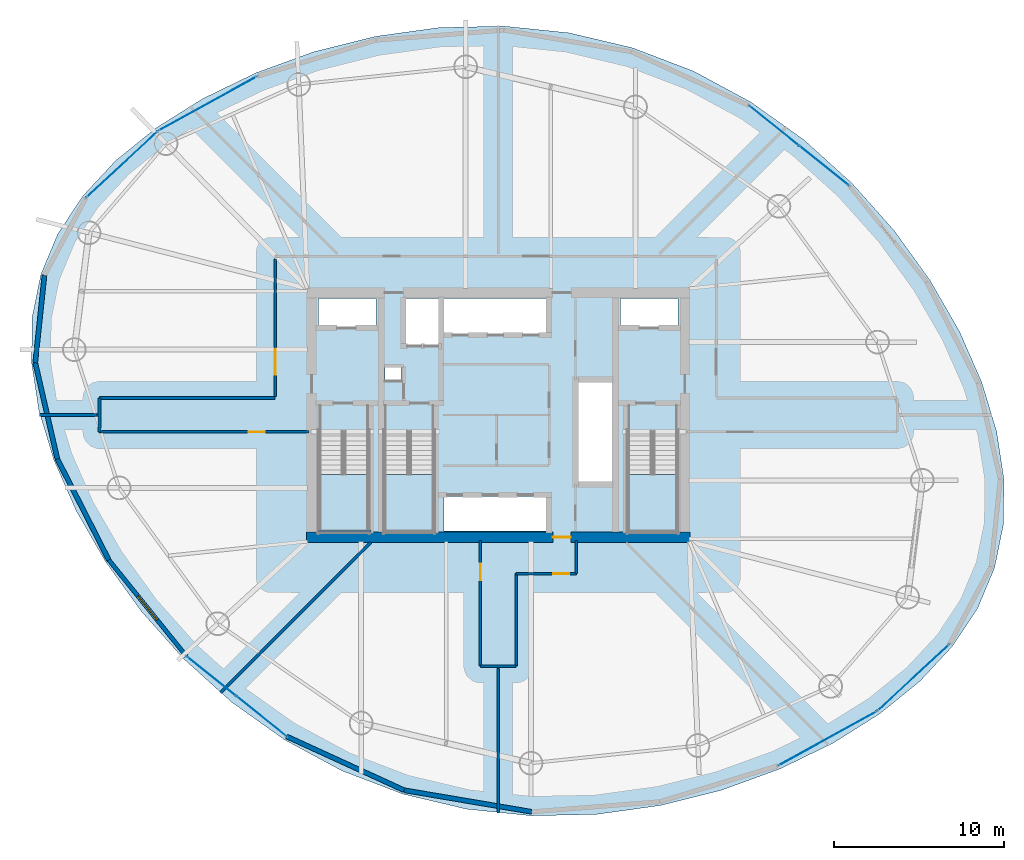
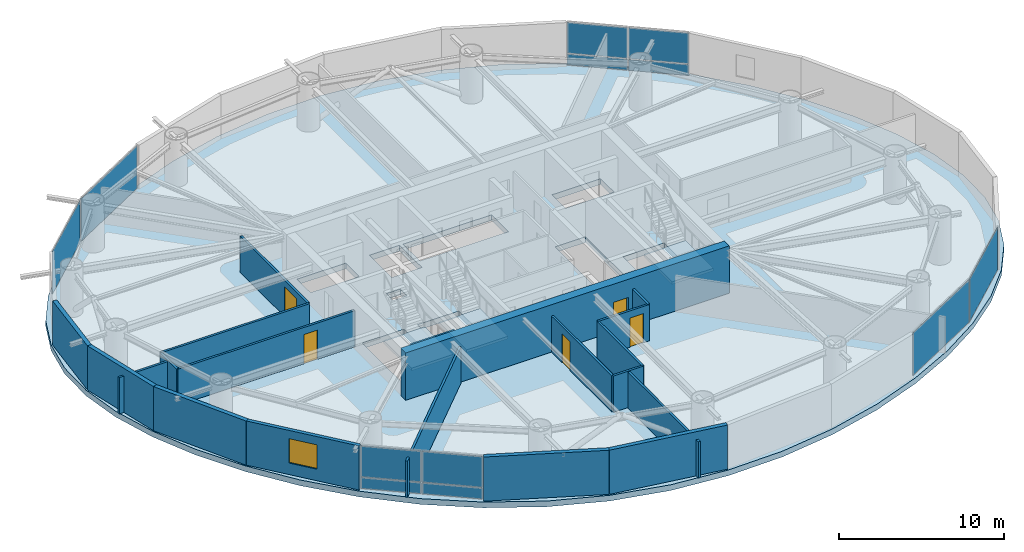
# One storey, part 13 of 21: 20 walls, 12 plates, 5 doors, 4 slabs, 1 window, 6 openings, 9 elements without a shape of their own.
"""IFC4 building model written with IfcOpenShell, lengths in metres."""

from ifc_helpers import new_model, si_unit, direction, frame, frame_2d, origin, origin_2d, place, context, subcontext, project, spatial, polyline, rectangle, outline, extrude, material, layer, layer_set, type_object, element, fill, aggregate, save


model = new_model("IFC4")

# Units and contexts
model_context = context("Model", 3, precision=1e-05, world=origin(), true_north=direction((0.0, 1.0)))
body_context = subcontext(model_context, "Body", "Model", "MODEL_VIEW")
ifc_project = project(units=[si_unit("LENGTHUNIT", "METRE"), si_unit("AREAUNIT", "SQUARE_METRE"), si_unit("VOLUMEUNIT", "CUBIC_METRE"), si_unit("PLANEANGLEUNIT", "RADIAN"), si_unit("MASSUNIT", "GRAM", prefix="KILO")], contexts=[model_context])

# Site, building, storey
site_placement = place(None, origin())
site = spatial("IfcSite", under=ifc_project, at=site_placement, CompositionType="ELEMENT")
building_placement = place(site_placement, origin())
building = spatial("IfcBuilding", under=site, at=building_placement, Name="Bramvorn Convention Spire", CompositionType="ELEMENT")
storey_placement = place(building_placement, frame((0.0, 0.0, 102.800048828125)))
storey = spatial("IfcBuildingStorey", under=building, at=storey_placement, Name="L24", CompositionType="ELEMENT", Elevation=102.800048828125)

# Curtain wall, plates
ifc_material_1 = material(Name="Anodised Bronze Unitised Curtain Wall", Category="aluminium")
ifc_layer_1 = layer(ifc_material_1, 0.179931640625)
ifc_layer_set_1 = layer_set([ifc_layer_1], Name="Anodised Bronze Unitised Curtain Wall - CW-HTL-FRIT")
curtain_wall_type = type_object("IfcCurtainWallType", Name="CW-HTL-FRIT", PredefinedType="USERDEFINED", material=ifc_layer_set_1)
curtain_wall_1_placement = place(storey_placement, origin())
curtain_wall_1 = element("IfcCurtainWall", 1, at=curtain_wall_1_placement, inside=storey, type_object=curtain_wall_type, Name="L24 fritted glass curtain wall 05", ObjectType="UNITISED CURTAIN WALL", PredefinedType="USERDEFINED")
ifc_material_2 = material(Name="Laminated Low-E Glass (Triple IGU Tapered Ceramic Frit 40%)", Category="glass")
ifc_layer_2 = layer(ifc_material_2, 0.0380859375)
ifc_layer_set_2 = layer_set([ifc_layer_2], Name="Laminated Low-E Glass (Triple IGU Tapered Ceramic Frit 40%) - PNL-IGU-2")
plate_type = type_object("IfcPlateType", Name="PNL-IGU-2", PredefinedType="CURTAIN_PANEL", material=ifc_layer_set_2)
plate_1_placement = place(storey_placement, frame((54.255859375, 43.0439453125, 0.059814453125), z_axis=(0.0, 0.0, 1.0), x_axis=(0.78042780314, -0.625245906892, 0.0)))
plate_1 = element("IfcPlate", 2, at=plate_1_placement, type_object=plate_type, Name="CW2 panel 1.1", PredefinedType="CURTAIN_PANEL", context=body_context, shape_type="SweptSolid", body=[
    extrude(rectangle(XDim=3.694580078125, YDim=0.028076171875, at=origin_2d()), origin(), (0.0, 0.0, 1.0), 0.81005859375),
])
plate_2_placement = place(storey_placement, frame((54.255859375, 43.0439453125, 0.929931640625), z_axis=(0.0, 0.0, 1.0), x_axis=(0.78042780314, -0.625245906892, 0.0)))
plate_2 = element("IfcPlate", 3, at=plate_2_placement, type_object=plate_type, Name="CW2 panel 1.2", PredefinedType="CURTAIN_PANEL", context=body_context, shape_type="SweptSolid", body=[
    extrude(rectangle(XDim=3.694580078125, YDim=0.028076171875, at=origin_2d()), origin(), (0.0, 0.0, 1.0), 2.27001953125),
])
plate_3_placement = place(storey_placement, frame((57.18603515625, 40.6962890625, 0.059814453125), z_axis=(0.0, 0.0, 1.0), x_axis=(0.78042780314, -0.625245906892, 0.0)))
plate_3 = element("IfcPlate", 4, at=plate_3_placement, type_object=plate_type, Name="CW2 panel 2.1", PredefinedType="CURTAIN_PANEL", context=body_context, shape_type="SweptSolid", body=[
    extrude(rectangle(XDim=3.694580078125, YDim=0.028076171875, at=origin_2d()), origin(), (0.0, 0.0, 1.0), 0.81005859375),
])
plate_4_placement = place(storey_placement, frame((57.18603515625, 40.6962890625, 0.929931640625), z_axis=(0.0, 0.0, 1.0), x_axis=(0.78042780314, -0.625245906892, 0.0)))
plate_4 = element("IfcPlate", 5, at=plate_4_placement, type_object=plate_type, Name="CW2 panel 2.2", PredefinedType="CURTAIN_PANEL", context=body_context, shape_type="SweptSolid", body=[
    extrude(rectangle(XDim=3.694580078125, YDim=0.028076171875, at=origin_2d()), origin(), (0.0, 0.0, 1.0), 2.27001953125),
])
aggregate(curtain_wall_1, [plate_1, plate_2, plate_3, plate_4])

# Curtain wall, plate
curtain_wall_2_placement = place(storey_placement, origin())
curtain_wall_2 = element("IfcCurtainWall", 6, at=curtain_wall_2_placement, inside=storey, type_object=curtain_wall_type, Name="L24 fritted glass curtain wall 10", ObjectType="UNITISED CURTAIN WALL", PredefinedType="USERDEFINED")
plate_5_placement = place(storey_placement, frame((20.888671875, 44.35498046875, 0.06005859375), z_axis=(0.0, 0.0, 1.0), x_axis=(0.876193416768, 0.481959641892, 0.0)))
plate_5 = element("IfcPlate", 7, at=plate_5_placement, type_object=plate_type, Name="CW2 panel 1.1", PredefinedType="CURTAIN_PANEL", context=body_context, shape_type="SweptSolid", body=[
    extrude(rectangle(XDim=6.545166015625, YDim=0.028076171875, at=origin_2d()), origin(), (0.0, 0.0, 1.0), 3.139892578125),
])
aggregate(curtain_wall_2, [plate_5])

curtain_wall_3_placement = place(storey_placement, origin())
curtain_wall_3 = element("IfcCurtainWall", 8, at=curtain_wall_3_placement, inside=storey, type_object=curtain_wall_type, Name="L24 fritted glass curtain wall 11", ObjectType="UNITISED CURTAIN WALL", PredefinedType="USERDEFINED")
plate_6_placement = place(storey_placement, frame((15.83447265625, 40.7685546875, 0.06005859375), z_axis=(0.0, 0.0, 1.0), x_axis=(0.733043619844, 0.680181631189, 0.0)))
plate_6 = element("IfcPlate", 9, at=plate_6_placement, type_object=plate_type, Name="CW2 panel 1.1", PredefinedType="CURTAIN_PANEL", context=body_context, shape_type="SweptSolid", body=[
    extrude(rectangle(XDim=5.70263671875, YDim=0.028076171875, at=origin_2d()), origin(), (0.0, 0.0, 1.0), 3.139892578125),
])
aggregate(curtain_wall_3, [plate_6])

# Curtain wall, plates
curtain_wall_4_placement = place(storey_placement, origin())
curtain_wall_4 = element("IfcCurtainWall", 10, at=curtain_wall_4_placement, inside=storey, type_object=curtain_wall_type, Name="L24 fritted glass curtain wall 17", ObjectType="UNITISED CURTAIN WALL", PredefinedType="USERDEFINED")
plate_7_placement = place(storey_placement, frame((24.0380859375, 8.25048828125, 0.059814453125), z_axis=(0.0, 0.0, 1.0), x_axis=(-0.78042780314, 0.625245906892, 0.0)))
plate_7 = element("IfcPlate", 11, at=plate_7_placement, type_object=plate_type, Name="CW2 panel 1.1", PredefinedType="CURTAIN_PANEL", context=body_context, shape_type="SweptSolid", body=[
    extrude(rectangle(XDim=3.694580078125, YDim=0.028076171875, at=origin_2d()), origin(), (0.0, 0.0, 1.0), 0.81005859375),
])
plate_8_placement = place(storey_placement, frame((24.0380859375, 8.25048828125, 0.929931640625), z_axis=(0.0, 0.0, 1.0), x_axis=(-0.78042780314, 0.625245906892, 0.0)))
plate_8 = element("IfcPlate", 12, at=plate_8_placement, type_object=plate_type, Name="CW2 panel 1.2", PredefinedType="CURTAIN_PANEL", context=body_context, shape_type="SweptSolid", body=[
    extrude(rectangle(XDim=3.694580078125, YDim=0.028076171875, at=origin_2d()), origin(), (0.0, 0.0, 1.0), 2.27001953125),
])
plate_9_placement = place(storey_placement, frame((21.10791015625, 10.597900390625, 0.059814453125), z_axis=(0.0, 0.0, 1.0), x_axis=(-0.78042780314, 0.625245906892, 0.0)))
plate_9 = element("IfcPlate", 13, at=plate_9_placement, type_object=plate_type, Name="CW2 panel 2.1", PredefinedType="CURTAIN_PANEL", context=body_context, shape_type="SweptSolid", body=[
    extrude(rectangle(XDim=3.694580078125, YDim=0.028076171875, at=origin_2d()), origin(), (0.0, 0.0, 1.0), 0.81005859375),
])
plate_10_placement = place(storey_placement, frame((21.10791015625, 10.597900390625, 0.929931640625), z_axis=(0.0, 0.0, 1.0), x_axis=(-0.78042780314, 0.625245906892, 0.0)))
plate_10 = element("IfcPlate", 14, at=plate_10_placement, type_object=plate_type, Name="CW2 panel 2.2", PredefinedType="CURTAIN_PANEL", context=body_context, shape_type="SweptSolid", body=[
    extrude(rectangle(XDim=3.694580078125, YDim=0.028076171875, at=origin_2d()), origin(), (0.0, 0.0, 1.0), 2.27001953125),
])
aggregate(curtain_wall_4, [plate_7, plate_8, plate_9, plate_10])

# Curtain wall, plate
curtain_wall_5_placement = place(storey_placement, origin())
curtain_wall_5 = element("IfcCurtainWall", 15, at=curtain_wall_5_placement, inside=storey, type_object=curtain_wall_type, Name="L24 fritted glass curtain wall 22", ObjectType="UNITISED CURTAIN WALL", PredefinedType="USERDEFINED")
plate_11_placement = place(storey_placement, frame((57.4052734375, 6.939453125, 0.06005859375), z_axis=(0.0, 0.0, 1.0), x_axis=(-0.876193416768, -0.481959641892, 0.0)))
plate_11 = element("IfcPlate", 16, at=plate_11_placement, type_object=plate_type, Name="CW2 panel 1.1", PredefinedType="CURTAIN_PANEL", context=body_context, shape_type="SweptSolid", body=[
    extrude(rectangle(XDim=6.545166015625, YDim=0.028076171875, at=origin_2d()), origin(), (0.0, 0.0, 1.0), 3.139892578125),
])
aggregate(curtain_wall_5, [plate_11])

curtain_wall_6_placement = place(storey_placement, origin())
curtain_wall_6 = element("IfcCurtainWall", 17, at=curtain_wall_6_placement, inside=storey, type_object=curtain_wall_type, Name="L24 fritted glass curtain wall 23", ObjectType="UNITISED CURTAIN WALL", PredefinedType="USERDEFINED")
plate_12_placement = place(storey_placement, frame((62.45947265625, 10.525634765625, 0.06005859375), z_axis=(0.0, 0.0, 1.0), x_axis=(-0.733051565256, -0.680173068178, 0.0)))
plate_12 = element("IfcPlate", 18, at=plate_12_placement, type_object=plate_type, Name="CW2 panel 1.1", PredefinedType="CURTAIN_PANEL", context=body_context, shape_type="SweptSolid", body=[
    extrude(rectangle(XDim=5.702880859375, YDim=0.028076171875, at=origin_2d()), origin(), (0.0, 0.0, 1.0), 3.139892578125),
])
aggregate(curtain_wall_6, [plate_12])

# Stair, slab
ifc_material_3 = material(Name="Concrete C40/50 Precast Stair", Category="concrete")
stair_type = type_object("IfcStairType", Name="ST-TOWER-1550", PredefinedType="HALF_TURN_STAIR", material=ifc_material_3)
stair_1_placement = place(storey_placement, origin())
stair_1 = element("IfcStair", 19, at=stair_1_placement, inside=storey, type_object=stair_type, Name="L24 Protected Exit Stair ST1", PredefinedType="HALF_TURN_STAIR")
ifc_material_4 = material(Name="Concrete C40/50 Stair Landing", Category="concrete")
ifc_layer_3 = layer(ifc_material_4, 0.219970703125)
ifc_layer_set_3 = layer_set([ifc_layer_3], Name="Concrete C40/50 Stair Landing - SLB-STAIR-LANDING")
slab_type_1 = type_object("IfcSlabType", Name="SLB-STAIR-LANDING", PredefinedType="LANDING", material=ifc_layer_set_3)
slab_1_placement = place(storey_placement, frame((0.0, 0.0, 1.550048828125)))
slab_1 = element("IfcSlab", 20, at=slab_1_placement, type_object=slab_type_1, Name="ST1 landing 1", PredefinedType="LANDING", context=body_context, shape_type="SweptSolid", body=[
    extrude(outline(polyline([(27.449951171875, 22.485107421875), (27.449951171875, 19.10009765625), (30.35009765625, 19.10009765625), (30.35009765625, 22.485107421875), (27.449951171875, 22.485107421875)])), origin(), (0.0, 0.0, 1.0), 0.199951171875),
])
aggregate(stair_1, [slab_1])

stair_2_placement = place(storey_placement, origin())
stair_2 = element("IfcStair", 21, at=stair_2_placement, inside=storey, type_object=stair_type, Name="L24 Protected Exit Stair ST2", PredefinedType="HALF_TURN_STAIR")
slab_2_placement = place(storey_placement, frame((0.0, 0.0, 1.550048828125)))
slab_2 = element("IfcSlab", 22, at=slab_2_placement, type_object=slab_type_1, Name="ST2 landing 1", PredefinedType="LANDING", context=body_context, shape_type="SweptSolid", body=[
    extrude(outline(polyline([(45.64990234375, 22.485107421875), (45.64990234375, 19.10009765625), (48.550048828125, 19.10009765625), (48.550048828125, 22.485107421875), (45.64990234375, 22.485107421875)])), origin(), (0.0, 0.0, 1.0), 0.199951171875),
])
aggregate(stair_2, [slab_2])

stair_3_placement = place(storey_placement, origin())
stair_3 = element("IfcStair", 23, at=stair_3_placement, inside=storey, type_object=stair_type, Name="L24 Protected Exit Stair ST3", PredefinedType="HALF_TURN_STAIR")
slab_3_placement = place(storey_placement, frame((0.0, 0.0, 1.550048828125)))
slab_3 = element("IfcSlab", 24, at=slab_3_placement, type_object=slab_type_1, Name="ST3 landing 1", PredefinedType="LANDING", context=body_context, shape_type="SweptSolid", body=[
    extrude(outline(polyline([(31.300048828125, 22.485107421875), (31.300048828125, 19.10009765625), (34.199951171875, 19.10009765625), (34.199951171875, 22.485107421875), (31.300048828125, 22.485107421875)])), origin(), (0.0, 0.0, 1.0), 0.199951171875),
])
aggregate(stair_3, [slab_3])

# Slab
ifc_material_5 = material(Name="Concrete C60/70", Category="concrete")
ifc_layer_4 = layer(ifc_material_5, 0.419921875)
ifc_layer_set_4 = layer_set([ifc_layer_4], Name="Concrete C60/70 - SLB-TRF-420")
slab_type_2 = type_object("IfcSlabType", Name="SLB-TRF-420", PredefinedType="FLOOR", material=ifc_layer_set_4)
slab_4_placement = place(storey_placement, frame((0.0, 0.0, -0.420166015625)))
element("IfcSlab", 25, at=slab_4_placement, inside=storey, type_object=slab_type_2, Name="L24 tower floor slab", PredefinedType="FLOOR", context=body_context, shape_type="SweptSolid", body=[
    extrude(outline(polyline([(67.247314453125, 17.00244140625), (67.76123046875, 19.5283203125), (67.798583984375, 22.200927734375), (67.369384765625, 25.010498046875), (66.48876953125, 27.9326171875), (65.17431640625, 30.925537109375), (63.445556640625, 33.929931640625), (61.324951171875, 36.870361328125), (58.837890625, 39.660888671875), (56.01416015625, 42.211669921875), (52.888671875, 44.436767578125), (49.504150390625, 46.2626953125), (45.9111328125, 47.63427734375), (42.16845703125, 48.51953125), (38.3427734375, 48.91162109375), (34.507080078125, 48.827880859375), (30.73779296875, 48.3056640625), (27.1123046875, 47.3955078125), (23.705810546875, 46.155517578125), (20.587158203125, 44.642333984375), (17.817626953125, 42.90576171875), (15.44677734375, 40.98388671875), (13.5126953125, 38.901611328125), (12.04150390625, 36.669921875), (11.046630859375, 34.2919921875), (10.53271484375, 31.76611328125), (10.495361328125, 29.09326171875), (10.924560546875, 26.28369140625), (11.80517578125, 23.36181640625), (13.11962890625, 20.36865234375), (14.848388671875, 17.364501953125), (16.968994140625, 14.423828125), (19.455810546875, 11.63330078125), (22.27978515625, 9.082763671875), (25.4052734375, 6.857421875), (28.789794921875, 5.031494140625), (32.3828125, 3.66015625), (36.12548828125, 2.77490234375), (39.951171875, 2.382568359375), (43.786865234375, 2.46630859375), (47.55615234375, 2.988525390625), (51.181640625, 3.898681640625), (54.588134765625, 5.138916015625), (57.706787109375, 6.652099609375), (60.476318359375, 8.388427734375), (62.84716796875, 10.310302734375), (64.781005859375, 12.392822265625), (66.25244140625, 14.62451171875), (67.247314453125, 17.00244140625)]), holes=[polyline([(27.449951171875, 25.050048828125), (27.449951171875, 19.10009765625), (30.35009765625, 19.10009765625), (30.35009765625, 25.050048828125), (27.449951171875, 25.050048828125)]), polyline([(45.64990234375, 25.050048828125), (45.64990234375, 19.10009765625), (48.550048828125, 19.10009765625), (48.550048828125, 25.050048828125), (45.64990234375, 25.050048828125)]), polyline([(31.300048828125, 25.050048828125), (31.300048828125, 19.10009765625), (34.199951171875, 19.10009765625), (34.199951171875, 25.050048828125), (31.300048828125, 25.050048828125)]), polyline([(27.39990234375, 31.219970703125), (30.800048828125, 31.219970703125), (30.800048828125, 32.85009765625), (27.39990234375, 32.85009765625), (27.39990234375, 31.219970703125)]), polyline([(45.199951171875, 31.219970703125), (48.60009765625, 31.219970703125), (48.60009765625, 32.85009765625), (45.199951171875, 32.85009765625), (45.199951171875, 31.219970703125)]), polyline([(32.449951171875, 30.14990234375), (34.56005859375, 30.14990234375), (34.56005859375, 32.85009765625), (32.449951171875, 32.85009765625), (32.449951171875, 30.14990234375)]), polyline([(34.800048828125, 30.800048828125), (40.97998046875, 30.800048828125), (40.97998046875, 32.85009765625), (34.800048828125, 32.85009765625), (34.800048828125, 30.800048828125)]), polyline([(34.800048828125, 19.14990234375), (40.97998046875, 19.14990234375), (40.97998046875, 21.199951171875), (34.800048828125, 21.199951171875), (34.800048828125, 19.14990234375)]), polyline([(42.6201171875, 22.0), (44.75, 22.0), (44.75, 28.0), (42.6201171875, 28.0), (42.6201171875, 22.0)]), polyline([(31.320068359375, 28.02001953125), (32.280029296875, 28.02001953125), (32.280029296875, 28.820068359375), (31.320068359375, 28.820068359375), (31.320068359375, 28.02001953125)])]), origin(), (0.0, 0.0, 1.0), 0.420166015625),
])

# Wall, opening, door
ifc_layer_5 = layer(ifc_material_5, 0.60009765625)
ifc_layer_set_5 = layer_set([ifc_layer_5], Name="Concrete C60/70 - WL-CORE-600")
wall_type_1 = type_object("IfcWallType", Name="WL-CORE-600", PredefinedType="SHEAR", material=ifc_layer_set_5)
wall_1_placement = place(storey_placement, frame((26.699951171875, 18.800048828125, 0.0), z_axis=(0.0, 0.0, 1.0), x_axis=(1.0, 0.0, 0.0)))
wall_1 = element("IfcWall", 26, at=wall_1_placement, inside=storey, type_object=wall_type_1, Name="L24 South RC core shear wall", PredefinedType="SHEAR", context=body_context, shape_type="SweptSolid", body=[
    extrude(rectangle(XDim=22.60009765625, YDim=0.60009765625, at=frame_2d((11.300048828125, 0.0))), origin(), (0.0, 0.0, 1.0), 3.5),
])
opening_1_placement = place(wall_1_placement, frame((14.52001953125, 0.0, 0.0)))
opening_1 = element("IfcOpeningElement", 27, at=opening_1_placement, cuts=wall_1, Name="Opening DL-105", PredefinedType="OPENING", context=body_context, shape_type="SweptSolid", body=[
    extrude(rectangle(XDim=1.050048828125, YDim=2.14990234375, at=frame_2d((0.52490234375, 1.074951171875))), frame((0.0, 0.31005859375, 0.0), z_axis=(0.0, -1.0, 0.0), x_axis=(1.0, 0.0, 0.0)), (0.0, 0.0, 1.0), 0.6201171875),
])
ifc_material_6 = material(Name="Smoke-Sealed Fire Lobby Timber-Core Door", Category="wood")
door_type_1 = type_object("IfcDoorType", Name="DR-LOBBY-1050", OperationType="NOTDEFINED", PredefinedType="DOOR", material=ifc_material_6)
door_1_placement = place(opening_1_placement, origin())
door_1 = element("IfcDoor", 28, at=door_1_placement, inside=storey, type_object=door_type_1, Name="L24 South Lift Lobby fire door", OperationType="SINGLE_SWING_RIGHT", OverallHeight=2.14990234375, OverallWidth=1.050048828125, PredefinedType="DOOR", context=body_context, shape_type="SweptSolid", body=[
    extrude(rectangle(XDim=1.050048828125, YDim=2.14990234375, at=frame_2d((0.52490234375, 1.074951171875))), frame((0.0, 0.02490234375, 0.0), z_axis=(0.0, -1.0, 0.0), x_axis=(1.0, 0.0, 0.0)), (0.0, 0.0, 1.0), 0.050048828125),
])
fill(opening_1, door_1)

# Walls
ifc_material_7 = material(Name="Precast Concrete C40/50 with Bronze Terracotta Rainscreen", Category="masonry")
ifc_layer_6 = layer(ifc_material_7, 0.300048828125)
ifc_layer_set_6 = layer_set([ifc_layer_6], Name="Precast Concrete C40/50 with Bronze Terracotta Rainscreen - WL-EXT-BRONZE-300")
wall_type_2 = type_object("IfcWallType", Name="WL-EXT-BRONZE-300", PredefinedType="SOLIDWALL", material=ifc_layer_set_6)
wall_2_placement = place(storey_placement, frame((10.714111328125, 29.08154296875, 0.0), z_axis=(0.0, 0.0, 1.0), x_axis=(0.104888640348, 0.994483973288, 0.0)))
element("IfcWall", 29, at=wall_2_placement, inside=storey, type_object=wall_type_2, Name="L24 expressed bronze Gothic lancet pier wall 13", PredefinedType="SOLIDWALL", context=body_context, shape_type="SweptSolid", body=[
    extrude(rectangle(XDim=5.17431640625, YDim=0.280029296875, at=frame_2d((2.587158203125, 0.0))), origin(), (0.0, 0.0, 1.0), 3.260009765625),
])
wall_3_placement = place(storey_placement, frame((12.018310546875, 23.406494140625, 0.0), z_axis=(0.0, 0.0, 1.0), x_axis=(-0.223974469887, 0.974595011704, 0.0)))
element("IfcWall", 30, at=wall_3_placement, inside=storey, type_object=wall_type_2, Name="L24 expressed bronze Gothic lancet pier wall 14", PredefinedType="SOLIDWALL", context=body_context, shape_type="SweptSolid", body=[
    extrude(rectangle(XDim=5.822998046875, YDim=0.280029296875, at=frame_2d((2.91162109375, 0.0))), origin(), (0.0, 0.0, 1.0), 3.260009765625),
])
wall_4_placement = place(storey_placement, frame((15.042724609375, 17.46728515625, 0.0), z_axis=(0.0, 0.0, 1.0), x_axis=(-0.45378036064, 0.891113564198, 0.0)))
element("IfcWall", 31, at=wall_4_placement, inside=storey, type_object=wall_type_2, Name="L24 expressed bronze Gothic lancet pier wall 15", PredefinedType="SOLIDWALL", context=body_context, shape_type="SweptSolid", body=[
    extrude(rectangle(XDim=6.6650390625, YDim=0.280029296875, at=frame_2d((3.33251953125, 0.0))), origin(), (0.0, 0.0, 1.0), 3.260009765625),
])

# Wall, opening, window
wall_5_placement = place(storey_placement, frame((19.619384765625, 11.79052734375, 0.0), z_axis=(0.0, 0.0, 1.0), x_axis=(-0.627638574616, 0.778504861676, 0.0)))
wall_5 = element("IfcWall", 32, at=wall_5_placement, inside=storey, type_object=wall_type_2, Name="L24 bronze ceramic-frit spandrel & operable window bay 16", PredefinedType="SOLIDWALL", context=body_context, shape_type="SweptSolid", body=[
    extrude(rectangle(XDim=7.2919921875, YDim=0.239990234375, at=frame_2d((3.64599609375, 0.0))), origin(), (0.0, 0.0, 1.0), 3.260009765625),
])
opening_2_placement = place(wall_5_placement, frame((2.745849609375, 0.0, 0.85009765625)))
opening_2 = element("IfcOpeningElement", 33, at=opening_2_placement, cuts=wall_5, Name="Opening WN03", PredefinedType="OPENING", context=body_context, shape_type="SweptSolid", body=[
    extrude(rectangle(XDim=1.800048828125, YDim=1.800048828125, at=frame_2d((0.89990234375, 0.89990234375))), frame((0.0, 0.1298828125, 0.0), z_axis=(0.0, -1.0, 0.0), x_axis=(1.0, 0.0, 0.0)), (0.0, 0.0, 1.0), 0.260009765625),
])
ifc_material_8 = material(Name="Thermally Broken Bronze Aluminium & Triple Low-E Glass", Category="aluminium")
window_type = type_object("IfcWindowType", Name="WN-OP-1800X1800", PartitioningType="SINGLE_PANEL", PredefinedType="WINDOW", material=ifc_material_8)
window_placement = place(opening_2_placement, origin())
window = element("IfcWindow", 34, at=window_placement, inside=storey, type_object=window_type, Name="L24 operable parallel-vent window 16", OverallHeight=1.800048828125, OverallWidth=1.800048828125, PartitioningType="SINGLE_PANEL", PredefinedType="WINDOW", context=body_context, shape_type="SweptSolid", body=[
    extrude(rectangle(XDim=1.800048828125, YDim=1.800048828125, at=frame_2d((0.89990234375, 0.89990234375))), frame((0.0, 0.030029296875, 0.0), z_axis=(0.0, -1.0, 0.0), x_axis=(1.0, 0.0, 0.0)), (0.0, 0.0, 1.0), 0.06005859375),
])
fill(opening_2, window)

# Walls
wall_6_placement = place(storey_placement, frame((32.45263671875, 3.88720703125, 0.0), z_axis=(0.0, 0.0, 1.0), x_axis=(-0.909252391781, 0.416245225847, 0.0)))
element("IfcWall", 35, at=wall_6_placement, inside=storey, type_object=wall_type_2, Name="L24 expressed bronze Gothic lancet pier wall 18", PredefinedType="SOLIDWALL", context=body_context, shape_type="SweptSolid", body=[
    extrude(rectangle(XDim=7.6171875, YDim=0.280029296875, at=frame_2d((3.80859375, 0.0))), origin(), (0.0, 0.0, 1.0), 3.260009765625),
])
wall_7_placement = place(storey_placement, frame((39.96337890625, 2.616455078125, 0.0), z_axis=(0.0, 0.0, 1.0), x_axis=(-0.985987293263, 0.166820434971, 0.0)))
element("IfcWall", 36, at=wall_7_placement, inside=storey, type_object=wall_type_2, Name="L24 expressed bronze Gothic lancet pier wall 19", PredefinedType="SOLIDWALL", context=body_context, shape_type="SweptSolid", body=[
    extrude(rectangle(XDim=7.617431640625, YDim=0.280029296875, at=frame_2d((3.80859375, 0.0))), origin(), (0.0, 0.0, 1.0), 3.260009765625),
])

# Wall, opening, door
ifc_material_9 = material(Name="Acoustic Metal-Stud Tenant/Corridor Partition", Category="gypsum")
ifc_layer_7 = layer(ifc_material_9, 0.14990234375)
ifc_layer_set_7 = layer_set([ifc_layer_7], Name="Acoustic Metal-Stud Tenant/Corridor Partition - WL-PART-150")
wall_type_3 = type_object("IfcWallType", Name="WL-PART-150", PredefinedType="PARTITIONING", material=ifc_layer_set_7)
wall_8_placement = place(storey_placement, frame((24.85009765625, 27.080078125, 0.0), z_axis=(0.0, 0.0, 1.0), x_axis=(0.0, 1.0, 0.0)))
wall_8 = element("IfcWall", 37, at=wall_8_placement, inside=storey, type_object=wall_type_3, Name="L24 NW gallery cheek", PredefinedType="PARTITIONING", context=body_context, shape_type="SweptSolid", body=[
    extrude(rectangle(XDim=8.119873046875, YDim=0.14990234375, at=frame_2d((4.06005859375, 0.0))), origin(), (0.0, 0.0, 1.0), 2.675048828125),
])
opening_3_placement = place(wall_8_placement, frame((1.280029296875, 0.0, 0.0)))
opening_3 = element("IfcOpeningElement", 38, at=opening_3_placement, cuts=wall_8, Name="Opening DC-150", PredefinedType="OPENING", context=body_context, shape_type="SweptSolid", body=[
    extrude(rectangle(XDim=1.5, YDim=2.199951171875, at=frame_2d((0.75, 1.10009765625))), frame((0.0, 0.0849609375, 0.0), z_axis=(0.0, -1.0, 0.0), x_axis=(1.0, 0.0, 0.0)), (0.0, 0.0, 1.0), 0.169921875),
])
ifc_material_10 = material(Name="Double-Leaf Smoke-Control Corridor Door", Category="wood")
door_type_2 = type_object("IfcDoorType", Name="DR-COR-1500", OperationType="NOTDEFINED", PredefinedType="DOOR", material=ifc_material_10)
door_2_placement = place(opening_3_placement, origin())
door_2 = element("IfcDoor", 39, at=door_2_placement, inside=storey, type_object=door_type_2, Name="L24 Co-Working Office Studio 4 door", OperationType="DOUBLE_DOOR_SINGLE_SWING", OverallHeight=2.199951171875, OverallWidth=1.5, PredefinedType="DOOR", context=body_context, shape_type="SweptSolid", body=[
    extrude(rectangle(XDim=1.5, YDim=2.199951171875, at=frame_2d((0.75, 1.10009765625))), frame((0.0, 0.02490234375, 0.0), z_axis=(0.0, -1.0, 0.0), x_axis=(1.0, 0.0, 0.0)), (0.0, 0.0, 1.0), 0.050048828125),
])
fill(opening_3, door_2)

# Wall
wall_9_placement = place(storey_placement, frame((14.5, 27.0, 0.0), z_axis=(0.0, 0.0, 1.0), x_axis=(1.0, 0.0, 0.0)))
element("IfcWall", 40, at=wall_9_placement, inside=storey, type_object=wall_type_3, Name="L24 West wing spine north wall", PredefinedType="PARTITIONING", context=body_context, shape_type="SweptSolid", body=[
    extrude(rectangle(XDim=10.35009765625, YDim=0.14990234375, at=frame_2d((5.175048828125, 0.0))), origin(), (0.0, 0.0, 1.0), 2.675048828125),
])

# Wall, opening, door
wall_10_placement = place(storey_placement, frame((14.5, 25.0, 0.0), z_axis=(0.0, 0.0, 1.0), x_axis=(1.0, 0.0, 0.0)))
wall_10 = element("IfcWall", 41, at=wall_10_placement, inside=storey, type_object=wall_type_3, Name="L24 West wing spine south wall", PredefinedType="PARTITIONING", context=body_context, shape_type="SweptSolid", body=[
    extrude(rectangle(XDim=12.35009765625, YDim=0.14990234375, at=frame_2d((6.175048828125, 0.0))), origin(), (0.0, 0.0, 1.0), 2.675048828125),
])
opening_4_placement = place(wall_10_placement, frame((8.78759765625, 0.0, 0.0)))
opening_4 = element("IfcOpeningElement", 42, at=opening_4_placement, cuts=wall_10, Name="Opening DH-095", PredefinedType="OPENING", context=body_context, shape_type="SweptSolid", body=[
    extrude(rectangle(XDim=0.949951171875, YDim=2.14990234375, at=frame_2d((0.47509765625, 1.074951171875))), frame((0.0, 0.0849609375, 0.0), z_axis=(0.0, -1.0, 0.0), x_axis=(1.0, 0.0, 0.0)), (0.0, 0.0, 1.0), 0.169921875),
])
ifc_material_11 = material(Name="Solid-Core Acoustic Guestroom Entry Door", Category="wood")
door_type_3 = type_object("IfcDoorType", Name="DR-HOTEL-950", OperationType="NOTDEFINED", PredefinedType="DOOR", material=ifc_material_11)
door_3_placement = place(opening_4_placement, origin())
door_3 = element("IfcDoor", 43, at=door_3_placement, inside=storey, type_object=door_type_3, Name="L24 Executive Meeting Room 5 door", OperationType="SINGLE_SWING_RIGHT", OverallHeight=2.14990234375, OverallWidth=0.949951171875, PredefinedType="DOOR", context=body_context, shape_type="SweptSolid", body=[
    extrude(rectangle(XDim=0.949951171875, YDim=2.14990234375, at=frame_2d((0.47509765625, 1.074951171875))), frame((0.0, 0.02490234375, 0.0), z_axis=(0.0, -1.0, 0.0), x_axis=(1.0, 0.0, 0.0)), (0.0, 0.0, 1.0), 0.050048828125),
])
fill(opening_4, door_3)

# Wall
wall_11_placement = place(storey_placement, frame((14.5, 25.0, 0.0), z_axis=(0.0, 0.0, 1.0), x_axis=(0.0, 1.0, 0.0)))
element("IfcWall", 44, at=wall_11_placement, inside=storey, type_object=wall_type_3, Name="L24 West wing spine end wall", PredefinedType="PARTITIONING", context=body_context, shape_type="SweptSolid", body=[
    extrude(rectangle(XDim=2.0, YDim=0.14990234375, at=frame_2d((1.0, 0.0))), origin(), (0.0, 0.0, 1.0), 2.675048828125),
])

# Wall, opening, door
wall_12_placement = place(storey_placement, frame((36.949951171875, 11.199951171875, 0.0), z_axis=(0.0, 0.0, 1.0), x_axis=(0.0, 1.0, 0.0)))
wall_12 = element("IfcWall", 45, at=wall_12_placement, inside=storey, type_object=wall_type_3, Name="L24 South axial spine west wall", PredefinedType="PARTITIONING", context=body_context, shape_type="SweptSolid", body=[
    extrude(rectangle(XDim=7.400146484375, YDim=0.14990234375, at=frame_2d((3.7001953125, 0.0))), origin(), (0.0, 0.0, 1.0), 2.675048828125),
])
opening_5_placement = place(wall_12_placement, frame((5.074951171875, 0.0, 0.0)))
opening_5 = element("IfcOpeningElement", 46, at=opening_5_placement, cuts=wall_12, Name="Opening DH-095", PredefinedType="OPENING", context=body_context, shape_type="SweptSolid", body=[
    extrude(rectangle(XDim=0.949951171875, YDim=2.14990234375, at=frame_2d((0.47509765625, 1.074951171875))), frame((0.0, 0.0849609375, 0.0), z_axis=(0.0, -1.0, 0.0), x_axis=(1.0, 0.0, 0.0)), (0.0, 0.0, 1.0), 0.169921875),
])
door_4_placement = place(opening_5_placement, origin())
door_4 = element("IfcDoor", 47, at=door_4_placement, inside=storey, type_object=door_type_3, Name="L24 Luggage & Linen Store 6 door", OperationType="SINGLE_SWING_RIGHT", OverallHeight=2.14990234375, OverallWidth=0.949951171875, PredefinedType="DOOR", context=body_context, shape_type="SweptSolid", body=[
    extrude(rectangle(XDim=0.949951171875, YDim=2.14990234375, at=frame_2d((0.47509765625, 1.074951171875))), frame((0.0, 0.02490234375, 0.0), z_axis=(0.0, -1.0, 0.0), x_axis=(1.0, 0.0, 0.0)), (0.0, 0.0, 1.0), 0.050048828125),
])
fill(opening_5, door_4)

# Wall
wall_13_placement = place(storey_placement, frame((39.050048828125, 11.199951171875, 0.0), z_axis=(0.0, 0.0, 1.0), x_axis=(0.0, 1.0, 0.0)))
element("IfcWall", 48, at=wall_13_placement, inside=storey, type_object=wall_type_3, Name="L24 South axial spine east wall", PredefinedType="PARTITIONING", context=body_context, shape_type="SweptSolid", body=[
    extrude(rectangle(XDim=5.449951171875, YDim=0.14990234375, at=frame_2d((2.72509765625, 0.0))), origin(), (0.0, 0.0, 1.0), 2.675048828125),
])

# Wall, opening, door
wall_14_placement = place(storey_placement, frame((39.050048828125, 16.64990234375, 0.0), z_axis=(0.0, 0.0, 1.0), x_axis=(1.0, 0.0, 0.0)))
wall_14 = element("IfcWall", 49, at=wall_14_placement, inside=storey, type_object=wall_type_3, Name="L24 South lift lobby link wall", PredefinedType="PARTITIONING", context=body_context, shape_type="SweptSolid", body=[
    extrude(rectangle(XDim=3.550048828125, YDim=0.14990234375, at=frame_2d((1.77490234375, 0.0))), origin(), (0.0, 0.0, 1.0), 2.675048828125),
])
opening_6_placement = place(wall_14_placement, frame((2.1875, 0.0, 0.0)))
opening_6 = element("IfcOpeningElement", 50, at=opening_6_placement, cuts=wall_14, Name="Opening DH-095", PredefinedType="OPENING", context=body_context, shape_type="SweptSolid", body=[
    extrude(rectangle(XDim=0.949951171875, YDim=2.14990234375, at=frame_2d((0.47509765625, 1.074951171875))), frame((0.0, 0.0849609375, 0.0), z_axis=(0.0, -1.0, 0.0), x_axis=(1.0, 0.0, 0.0)), (0.0, 0.0, 1.0), 0.169921875),
])
door_5_placement = place(opening_6_placement, origin())
door_5 = element("IfcDoor", 51, at=door_5_placement, inside=storey, type_object=door_type_3, Name="L24 Sky-Lobby Seminar Suite 7 door", OperationType="SINGLE_SWING_LEFT", OverallHeight=2.14990234375, OverallWidth=0.949951171875, PredefinedType="DOOR", context=body_context, shape_type="SweptSolid", body=[
    extrude(rectangle(XDim=0.949951171875, YDim=2.14990234375, at=frame_2d((0.47509765625, 1.074951171875))), frame((0.0, 0.02490234375, 0.0), z_axis=(0.0, -1.0, 0.0), x_axis=(1.0, 0.0, 0.0)), (0.0, 0.0, 1.0), 0.050048828125),
])
fill(opening_6, door_5)

# Walls
wall_15_placement = place(storey_placement, frame((42.60009765625, 16.64990234375, 0.0), z_axis=(0.0, 0.0, 1.0), x_axis=(0.0, 1.0, 0.0)))
element("IfcWall", 52, at=wall_15_placement, inside=storey, type_object=wall_type_3, Name="L24 South lift lobby east cheek", PredefinedType="PARTITIONING", context=body_context, shape_type="SweptSolid", body=[
    extrude(rectangle(XDim=1.9501953125, YDim=0.14990234375, at=frame_2d((0.97509765625, 0.0))), origin(), (0.0, 0.0, 1.0), 2.675048828125),
])
wall_16_placement = place(storey_placement, frame((36.949951171875, 11.199951171875, 0.0), z_axis=(0.0, 0.0, 1.0), x_axis=(1.0, 0.0, 0.0)))
element("IfcWall", 53, at=wall_16_placement, inside=storey, type_object=wall_type_3, Name="L24 South axial spine end wall", PredefinedType="PARTITIONING", context=body_context, shape_type="SweptSolid", body=[
    extrude(rectangle(XDim=2.10009765625, YDim=0.14990234375, at=frame_2d((1.050048828125, 0.0))), origin(), (0.0, 0.0, 1.0), 2.675048828125),
])
wall_17_placement = place(storey_placement, frame((14.360107421875, 26.0, 0.0), z_axis=(0.0, 0.0, 1.0), x_axis=(-1.0, 0.0, 0.0)))
element("IfcWall", 54, at=wall_17_placement, inside=storey, type_object=wall_type_3, Name="L24 Tenant suite partition 5", PredefinedType="PARTITIONING", context=body_context, shape_type="SweptSolid", body=[
    extrude(rectangle(XDim=3.380615234375, YDim=0.14990234375, at=frame_2d((1.6904296875, 0.0))), origin(), (0.0, 0.0, 1.0), 2.675048828125),
])
wall_18_placement = place(storey_placement, frame((30.47998046875, 18.47998046875, 0.0), z_axis=(0.0, 0.0, 1.0), x_axis=(-0.707106781187, -0.707106781187, 0.0)))
element("IfcWall", 55, at=wall_18_placement, inside=storey, type_object=wall_type_3, Name="L24 Tenant suite partition 6", PredefinedType="PARTITIONING", context=body_context, shape_type="SweptSolid", body=[
    extrude(rectangle(XDim=12.517578125, YDim=0.14990234375, at=frame_2d((6.2587890625, 0.0))), origin(), (0.0, 0.0, 1.0), 2.675048828125),
])
wall_19_placement = place(storey_placement, frame((38.0, 11.06005859375, 0.0), z_axis=(0.0, 0.0, 1.0), x_axis=(0.0, -1.0, 0.0)))
element("IfcWall", 56, at=wall_19_placement, inside=storey, type_object=wall_type_3, Name="L24 Tenant suite partition 7", PredefinedType="PARTITIONING", context=body_context, shape_type="SweptSolid", body=[
    extrude(rectangle(XDim=8.509765625, YDim=0.14990234375, at=frame_2d((4.2548828125, 0.0))), origin(), (0.0, 0.0, 1.0), 2.675048828125),
])
ifc_material_12 = material(Name="Concrete C50/60", Category="concrete")
ifc_layer_8 = layer(ifc_material_12, 0.1201171875)
ifc_layer_set_8 = layer_set([ifc_layer_8], Name="Concrete C50/60 - WL-STAIR-RC-120")
wall_type_4 = type_object("IfcWallType", Name="WL-STAIR-RC-120", PredefinedType="SHEAR", material=ifc_layer_set_8)
wall_20_placement = place(storey_placement, frame((27.39501953125, 19.159912109375, 0.0), z_axis=(0.0, 0.0, 1.0), x_axis=(1.0, 0.0, 0.0)))
element("IfcWall", 57, at=wall_20_placement, inside=storey, type_object=wall_type_4, Name="L24 ST1 south bearing shear wall", PredefinedType="SHEAR", context=body_context, shape_type="SweptSolid", body=[
    extrude(rectangle(XDim=3.094970703125, YDim=0.1201171875, at=frame_2d((1.54736328125, 0.0))), origin(), (0.0, 0.0, 1.0), 3.5),
])

save(model, "model.ifc")
